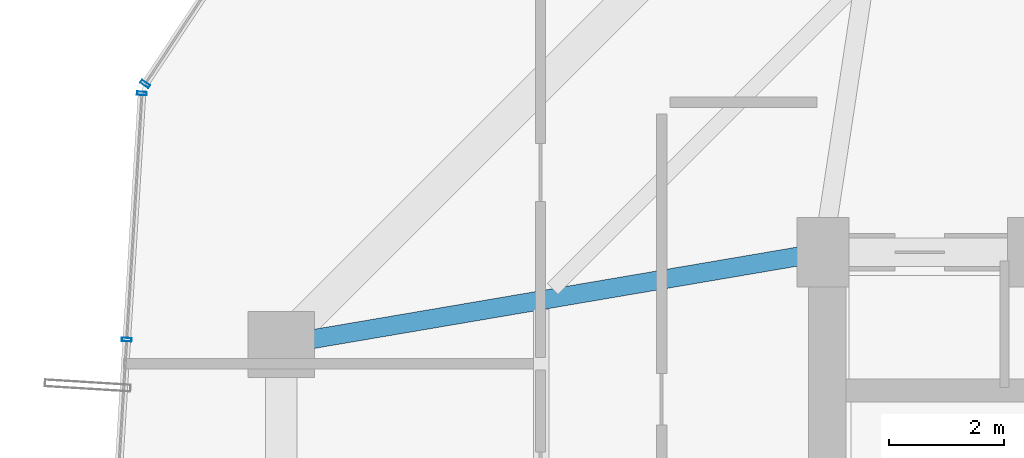
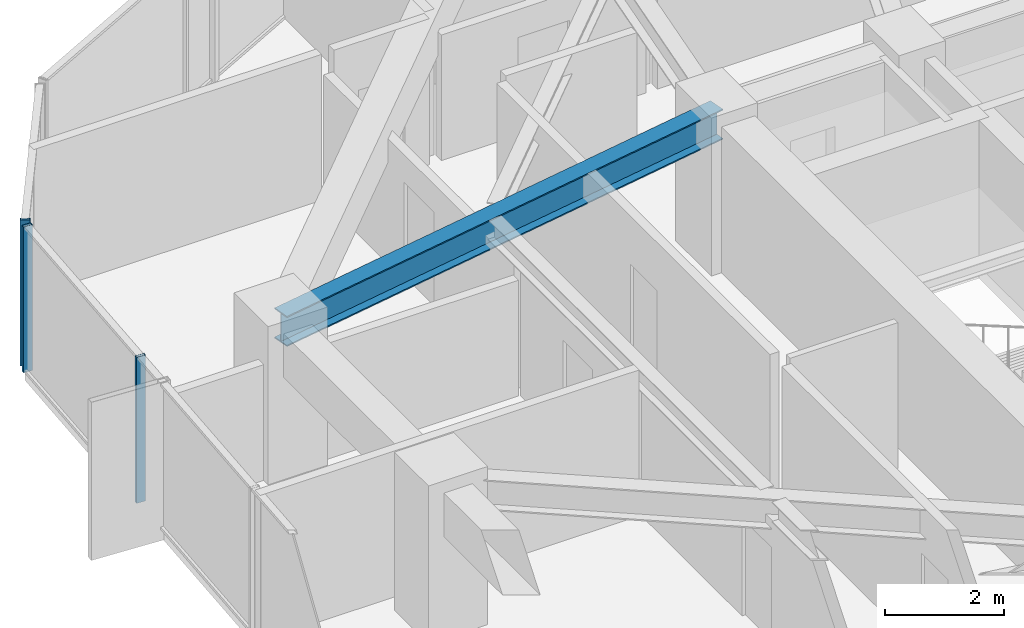
# One storey, part 10 of 30: 3 members, 1 beam, 2 elements without a shape of their own.
"""IFC4 building model written with IfcOpenShell, lengths in metres."""

from ifc_helpers import new_model, si_unit, direction, frame, origin, origin_2d, place, context, subcontext, project, spatial, hollow_rectangle, i_section, extrude, source, transform, mapped, material, layer, layer_set, material_profile, profile_set, type_object, element, aggregate, save


model = new_model("IFC4")

# Units and contexts
model_context = context("Model", 3, precision=1e-05, world=origin(), true_north=direction((0.0, 1.0)))
body_context = subcontext(model_context, "Body", "Model", "MODEL_VIEW")
ifc_project = project(units=[si_unit("LENGTHUNIT", "METRE"), si_unit("AREAUNIT", "SQUARE_METRE"), si_unit("VOLUMEUNIT", "CUBIC_METRE"), si_unit("PLANEANGLEUNIT", "RADIAN"), si_unit("MASSUNIT", "GRAM", prefix="KILO")], contexts=[model_context])

# Site, building, storey
site_placement = place(None, origin())
site = spatial("IfcSite", under=ifc_project, at=site_placement, CompositionType="ELEMENT")
building_placement = place(site_placement, origin())
building = spatial("IfcBuilding", under=site, at=building_placement, Name="Veraguas Prism Commons", CompositionType="ELEMENT")
storey_placement = place(building_placement, frame((0.0, 0.0, 116.5)))
storey = spatial("IfcBuildingStorey", under=building, at=storey_placement, Name="L32", CompositionType="ELEMENT", Elevation=116.5)

# Beam
ifc_material_1 = material(Name="Steel ASTM A992 Grade 50", Category="steel")
ifc_material_profile_1 = material_profile(ifc_material_1, i_section(OverallWidth=0.327880859375, OverallDepth=0.6220703125, WebThickness=0.015380859375, FlangeThickness=0.0244140625, at=origin_2d()), Name="W610X195")
ifc_profile_set_1 = profile_set([ifc_material_profile_1], Name="Steel ASTM A992 Grade 50")
beam_type = type_object("IfcBeamType", Name="Zone 2 Radial Girder W610x195", PredefinedType="BEAM", material=ifc_profile_set_1)
beam_placement = place(storey_placement, frame((7.800048828125, 29.39990234375, 2.68896484375), z_axis=(0.985819187151, 0.1678109956, 0.0), x_axis=(-0.1678109956, 0.985819187151, 0.0)))
element("IfcBeam", 1, at=beam_placement, inside=storey, type_object=beam_type, Name="Radial Floor Girder L32-RD07", PredefinedType="BEAM", context=body_context, shape_type="SweptSolid", body=[
    extrude(i_section(OverallWidth=0.327880859375, OverallDepth=0.6220703125, WebThickness=0.015380859375, FlangeThickness=0.0244140625, at=origin_2d()), origin(), (0.0, 0.0, 1.0), 9.53515625),
])

# Curtain wall, members
ifc_material_2 = material(Name="Anodised aluminium EN AW-6063 T6", Category="aluminium")
ifc_layer = layer(ifc_material_2, 0.169921875, Name="Unitised Flush Curtain Wall Zone 2", Category="aluminium")
ifc_layer_set = layer_set([ifc_layer], Name="Anodised aluminium EN AW-6063 T6")
curtain_wall_type = type_object("IfcCurtainWallType", Name="Unitised Flush Curtain Wall Zone 2", PredefinedType="NOTDEFINED", material=ifc_layer_set)
curtain_wall_1_placement = place(storey_placement, origin())
curtain_wall_1 = element("IfcCurtainWall", 2, at=curtain_wall_1_placement, inside=storey, type_object=curtain_wall_type, Name="Tower Facade Curtain Wall L32-F3", PredefinedType="NOTDEFINED")
ifc_material_profile_2 = material_profile(ifc_material_2, hollow_rectangle(XDim=0.06005859375, YDim=0.169921875, WallThickness=0.00390625, at=origin_2d()), Name="AL60X170X4")
ifc_profile_set_2 = profile_set([ifc_material_profile_2], Name="Anodised aluminium EN AW-6063 T6")
member_type = type_object("IfcMemberType", Name="Curtain Wall Mullion Lower AL 60x170x4", PredefinedType="MULLION", material=ifc_profile_set_2)
shared_shape = source(origin(), body_context, "Body", "SweptSolid", [
    extrude(hollow_rectangle(XDim=0.06005859375, YDim=0.169921875, WallThickness=0.00390625, at=origin_2d()), origin(), (0.0, 0.0, 1.0), 3.0),
])
member_1_placement = place(storey_placement, frame((5.38427734375, 33.75537109375, 0.0), z_axis=(0.0, 0.0, 1.0), x_axis=(-0.061743612146, -0.99809204303, 0.0)))
member_1 = element("IfcMember", 3, at=member_1_placement, type_object=member_type, Name="CW-Z2 Mullion 1", PredefinedType="MULLION", context=body_context, shape_type="MappedRepresentation", body=[
    mapped(shared_shape, transform((0.0, 0.0, 0.0), scale=1.0)),
])
member_2_placement = place(storey_placement, frame((5.1201171875, 29.48486328125, 0.0), z_axis=(0.0, 0.0, 1.0), x_axis=(-0.061743612146, -0.99809204303, 0.0)))
member_2 = element("IfcMember", 4, at=member_2_placement, type_object=member_type, Name="CW-Z2 Mullion 2", PredefinedType="MULLION", context=body_context, shape_type="MappedRepresentation", body=[
    mapped(shared_shape, transform((0.0, 0.0, 0.0), scale=1.0)),
])
aggregate(curtain_wall_1, [member_1, member_2])

# Curtain wall, member
curtain_wall_2_placement = place(storey_placement, origin())
curtain_wall_2 = element("IfcCurtainWall", 5, at=curtain_wall_2_placement, inside=storey, type_object=curtain_wall_type, Name="Chamfer Curtain Wall L32-C3", PredefinedType="NOTDEFINED")
member_3_placement = place(storey_placement, frame((5.439697265625, 33.920166015625, 0.0), z_axis=(0.0, 0.0, 1.0), x_axis=(-0.552507374975, -0.833508008719, 0.0)))
member_3 = element("IfcMember", 6, at=member_3_placement, type_object=member_type, Name="CW-Z2 Mullion 2", PredefinedType="MULLION", context=body_context, shape_type="MappedRepresentation", body=[
    mapped(shared_shape, transform((0.0, 0.0, 0.0), scale=1.0)),
])
aggregate(curtain_wall_2, [member_3])

save(model, "model.ifc")
